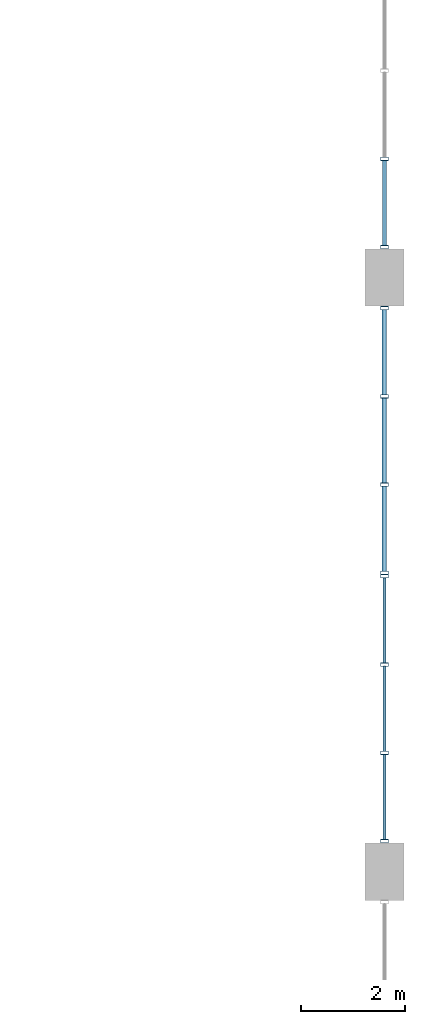
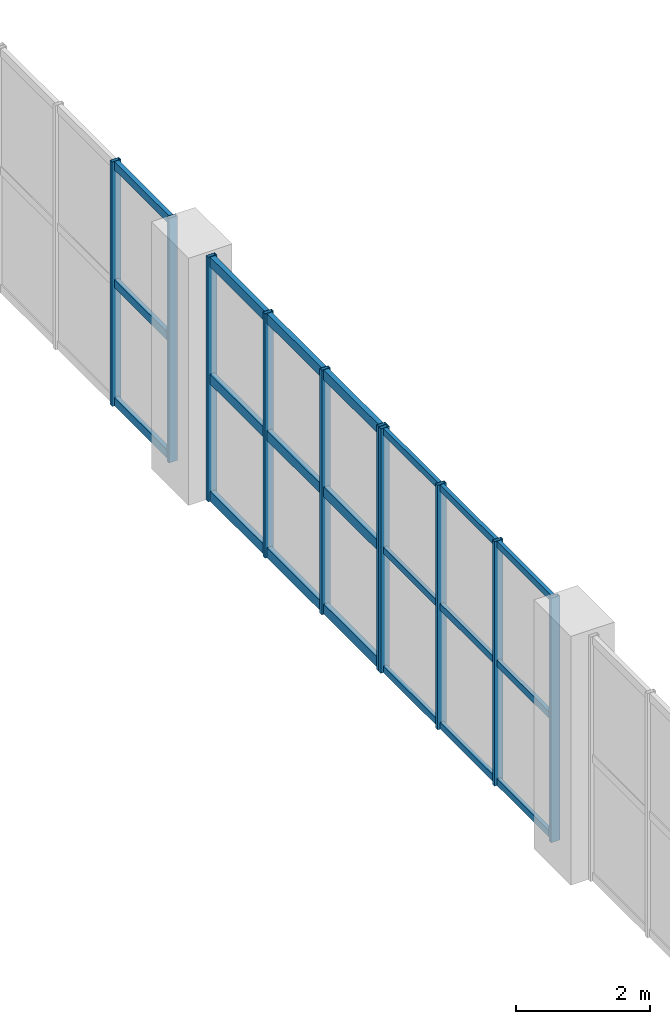
# One storey, part 48 of 80: 31 members, 3 elements without a shape of their own.
"""IFC4 building model written with IfcOpenShell, lengths in metres."""

from ifc_helpers import new_model, si_unit, direction, frame, origin, origin_2d, place, context, subcontext, project, spatial, hollow_rectangle, extrude, material, layer, layer_set, material_profile, profile_set, type_object, element, aggregate, save


model = new_model("IFC4")

# Units and contexts
model_context = context("Model", 3, precision=1e-05, world=origin(), true_north=direction((0.0, 1.0)))
body_context = subcontext(model_context, "Body", "Model", "MODEL_VIEW")
ifc_project = project(units=[si_unit("LENGTHUNIT", "METRE"), si_unit("AREAUNIT", "SQUARE_METRE"), si_unit("VOLUMEUNIT", "CUBIC_METRE"), si_unit("PLANEANGLEUNIT", "RADIAN"), si_unit("MASSUNIT", "GRAM", prefix="KILO"), si_unit("POWERUNIT", "WATT"), si_unit("THERMODYNAMICTEMPERATUREUNIT", "KELVIN")], contexts=[model_context])

# Site, building, storey
site_placement = place(None, origin())
site = spatial("IfcSite", under=ifc_project, at=site_placement, CompositionType="ELEMENT")
building_placement = place(site_placement, origin())
building = spatial("IfcBuilding", under=site, at=building_placement, Name="Kelmbourne Parkland Aquatics Centre", CompositionType="ELEMENT")
storey_placement = place(building_placement, frame((0.0, 0.0, 10.199951171875)))
storey = spatial("IfcBuildingStorey", under=building, at=storey_placement, Name="L02", CompositionType="ELEMENT", Elevation=10.199951171875)

# Curtain wall, members
ifc_material = material(Name="Thermally broken anodised aluminium framing", Category="aluminium")
ifc_layer_1 = layer(ifc_material, 0.179931640625)
ifc_layer_set_1 = layer_set([ifc_layer_1], Name="Thermally broken anodised aluminium framing")
curtain_wall_type_1 = type_object("IfcCurtainWallType", Name="CW-12", PredefinedType="NOTDEFINED", material=ifc_layer_set_1)
curtain_wall_1_placement = place(storey_placement, origin())
curtain_wall_1 = element("IfcCurtainWall", 1, at=curtain_wall_1_placement, inside=storey, type_object=curtain_wall_type_1, Name="Wave-hall clerestory curtain wall CW-L02-060", PredefinedType="NOTDEFINED")
ifc_material_profile_1 = material_profile(ifc_material, hollow_rectangle(XDim=0.06494140625, YDim=0.14990234375, WallThickness=0.00390625, at=origin_2d()), Name="CW-M 65x150")
ifc_profile_set_1 = profile_set([ifc_material_profile_1], Name="Thermally broken anodised aluminium framing")
member_type_1 = type_object("IfcMemberType", Name="MB-MUL-1", PredefinedType="MULLION", material=ifc_profile_set_1)
member_1_placement = place(storey_placement, frame((175.199951171875, 69.784423828125, 0.0), z_axis=(0.0, 0.0, 1.0), x_axis=(0.0, 1.0, 0.0)))
member_1 = element("IfcMember", 2, at=member_1_placement, type_object=member_type_1, Name="CW-L02-060 mullion 0", PredefinedType="MULLION", context=body_context, shape_type="SweptSolid", body=[
    extrude(hollow_rectangle(XDim=0.06494140625, YDim=0.14990234375, WallThickness=0.00390625, at=origin_2d()), origin(), (0.0, 0.0, 1.0), 4.449951171875),
])
member_2_placement = place(storey_placement, frame((175.199951171875, 71.478759765625, 0.0), z_axis=(0.0, 0.0, 1.0), x_axis=(0.0, 1.0, 0.0)))
member_2 = element("IfcMember", 3, at=member_2_placement, type_object=member_type_1, Name="CW-L02-060 mullion 1", PredefinedType="MULLION", context=body_context, shape_type="SweptSolid", body=[
    extrude(hollow_rectangle(XDim=0.06494140625, YDim=0.14990234375, WallThickness=0.00390625, at=origin_2d()), origin(), (0.0, 0.0, 1.0), 4.449951171875),
])
member_3_placement = place(storey_placement, frame((175.199951171875, 73.173095703125, 0.0), z_axis=(0.0, 0.0, 1.0), x_axis=(0.0, 1.0, 0.0)))
member_3 = element("IfcMember", 4, at=member_3_placement, type_object=member_type_1, Name="CW-L02-060 mullion 2", PredefinedType="MULLION", context=body_context, shape_type="SweptSolid", body=[
    extrude(hollow_rectangle(XDim=0.06494140625, YDim=0.14990234375, WallThickness=0.00390625, at=origin_2d()), origin(), (0.0, 0.0, 1.0), 4.449951171875),
])
member_4_placement = place(storey_placement, frame((175.199951171875, 74.867431640625, 0.0), z_axis=(0.0, 0.0, 1.0), x_axis=(0.0, 1.0, 0.0)))
member_4 = element("IfcMember", 5, at=member_4_placement, type_object=member_type_1, Name="CW-L02-060 mullion 3", PredefinedType="MULLION", context=body_context, shape_type="SweptSolid", body=[
    extrude(hollow_rectangle(XDim=0.06494140625, YDim=0.14990234375, WallThickness=0.00390625, at=origin_2d()), origin(), (0.0, 0.0, 1.0), 4.449951171875),
])

ifc_layer_2 = layer(ifc_material, 0.179931640625)
ifc_layer_set_2 = layer_set([ifc_layer_2], Name="Thermally broken anodised aluminium framing")
curtain_wall_type_2 = type_object("IfcCurtainWallType", Name="CW-17", PredefinedType="NOTDEFINED", material=ifc_layer_set_2)
curtain_wall_2_placement = place(storey_placement, origin())
curtain_wall_2 = element("IfcCurtainWall", 6, at=curtain_wall_2_placement, inside=storey, type_object=curtain_wall_type_2, Name="Wave-hall clerestory curtain wall CW-L02-065", PredefinedType="NOTDEFINED")
member_5_placement = place(storey_placement, frame((175.199951171875, 74.9326171875, 0.0), z_axis=(0.0, 0.0, 1.0), x_axis=(0.0, 1.0, 0.0)))
member_5 = element("IfcMember", 7, at=member_5_placement, type_object=member_type_1, Name="CW-L02-065 mullion 0", PredefinedType="MULLION", context=body_context, shape_type="SweptSolid", body=[
    extrude(hollow_rectangle(XDim=0.06494140625, YDim=0.14990234375, WallThickness=0.00390625, at=origin_2d()), origin(), (0.0, 0.0, 1.0), 4.449951171875),
])
member_6_placement = place(storey_placement, frame((175.199951171875, 76.626708984375, 0.0), z_axis=(0.0, 0.0, 1.0), x_axis=(0.0, 1.0, 0.0)))
member_6 = element("IfcMember", 8, at=member_6_placement, type_object=member_type_1, Name="CW-L02-065 mullion 1", PredefinedType="MULLION", context=body_context, shape_type="SweptSolid", body=[
    extrude(hollow_rectangle(XDim=0.06494140625, YDim=0.14990234375, WallThickness=0.00390625, at=origin_2d()), origin(), (0.0, 0.0, 1.0), 4.449951171875),
])
member_7_placement = place(storey_placement, frame((175.199951171875, 78.3212890625, 0.0), z_axis=(0.0, 0.0, 1.0), x_axis=(0.0, 1.0, 0.0)))
member_7 = element("IfcMember", 9, at=member_7_placement, type_object=member_type_1, Name="CW-L02-065 mullion 2", PredefinedType="MULLION", context=body_context, shape_type="SweptSolid", body=[
    extrude(hollow_rectangle(XDim=0.06494140625, YDim=0.14990234375, WallThickness=0.00390625, at=origin_2d()), origin(), (0.0, 0.0, 1.0), 4.449951171875),
])
member_8_placement = place(storey_placement, frame((175.199951171875, 80.015380859375, 0.0), z_axis=(0.0, 0.0, 1.0), x_axis=(0.0, 1.0, 0.0)))
member_8 = element("IfcMember", 10, at=member_8_placement, type_object=member_type_1, Name="CW-L02-065 mullion 3", PredefinedType="MULLION", context=body_context, shape_type="SweptSolid", body=[
    extrude(hollow_rectangle(XDim=0.06494140625, YDim=0.14990234375, WallThickness=0.00390625, at=origin_2d()), origin(), (0.0, 0.0, 1.0), 4.449951171875),
])

ifc_layer_3 = layer(ifc_material, 0.179931640625)
ifc_layer_set_3 = layer_set([ifc_layer_3], Name="Thermally broken anodised aluminium framing")
curtain_wall_type_3 = type_object("IfcCurtainWallType", Name="CW-22", PredefinedType="NOTDEFINED", material=ifc_layer_set_3)
curtain_wall_3_placement = place(storey_placement, origin())
curtain_wall_3 = element("IfcCurtainWall", 11, at=curtain_wall_3_placement, inside=storey, type_object=curtain_wall_type_3, Name="Wave-hall clerestory curtain wall CW-L02-070", PredefinedType="NOTDEFINED")
member_9_placement = place(storey_placement, frame((175.199951171875, 81.1845703125, 0.0), z_axis=(0.0, 0.0, 1.0), x_axis=(0.0, 1.0, 0.0)))
member_9 = element("IfcMember", 12, at=member_9_placement, type_object=member_type_1, Name="CW-L02-070 mullion 0", PredefinedType="MULLION", context=body_context, shape_type="SweptSolid", body=[
    extrude(hollow_rectangle(XDim=0.06494140625, YDim=0.14990234375, WallThickness=0.00390625, at=origin_2d()), origin(), (0.0, 0.0, 1.0), 4.449951171875),
])
member_10_placement = place(storey_placement, frame((175.199951171875, 82.87890625, 0.0), z_axis=(0.0, 0.0, 1.0), x_axis=(0.0, 1.0, 0.0)))
member_10 = element("IfcMember", 13, at=member_10_placement, type_object=member_type_1, Name="CW-L02-070 mullion 1", PredefinedType="MULLION", context=body_context, shape_type="SweptSolid", body=[
    extrude(hollow_rectangle(XDim=0.06494140625, YDim=0.14990234375, WallThickness=0.00390625, at=origin_2d()), origin(), (0.0, 0.0, 1.0), 4.449951171875),
])

# Member
ifc_material_profile_2 = material_profile(ifc_material, hollow_rectangle(XDim=0.06494140625, YDim=0.1201171875, WallThickness=0.00341796875, at=origin_2d()), Name="CW-T 65x120")
ifc_profile_set_2 = profile_set([ifc_material_profile_2], Name="Thermally broken anodised aluminium framing")
member_type_2 = type_object("IfcMemberType", Name="MB-TRN-1", PredefinedType="USERDEFINED", material=ifc_profile_set_2)
member_11_placement = place(storey_placement, frame((175.199951171875, 69.81298828125, 0.06298828125), z_axis=(0.0, 1.0, 0.0), x_axis=(-1.0, 0.0, 0.0)))
member_11 = element("IfcMember", 14, at=member_11_placement, type_object=member_type_2, Name="CW-L02-060 transom 0-0", ObjectType="TRANSOM", PredefinedType="USERDEFINED", context=body_context, shape_type="SweptSolid", body=[
    extrude(hollow_rectangle(XDim=0.06494140625, YDim=0.1201171875, WallThickness=0.00341796875, at=origin_2d()), origin(), (0.0, 0.0, 1.0), 1.63720703125),
])

member_12_placement = place(storey_placement, frame((175.199951171875, 71.50732421875, 0.06298828125), z_axis=(0.0, 1.0, 0.0), x_axis=(-1.0, 0.0, 0.0)))
member_12 = element("IfcMember", 15, at=member_12_placement, type_object=member_type_2, Name="CW-L02-060 transom 0-1", ObjectType="TRANSOM", PredefinedType="USERDEFINED", context=body_context, shape_type="SweptSolid", body=[
    extrude(hollow_rectangle(XDim=0.06494140625, YDim=0.1201171875, WallThickness=0.00341796875, at=origin_2d()), origin(), (0.0, 0.0, 1.0), 1.637451171875),
])

member_13_placement = place(storey_placement, frame((175.199951171875, 73.20166015625, 0.06298828125), z_axis=(0.0, 1.0, 0.0), x_axis=(-1.0, 0.0, 0.0)))
member_13 = element("IfcMember", 16, at=member_13_placement, type_object=member_type_2, Name="CW-L02-060 transom 0-2", ObjectType="TRANSOM", PredefinedType="USERDEFINED", context=body_context, shape_type="SweptSolid", body=[
    extrude(hollow_rectangle(XDim=0.06494140625, YDim=0.1201171875, WallThickness=0.00341796875, at=origin_2d()), origin(), (0.0, 0.0, 1.0), 1.637451171875),
])

member_14_placement = place(storey_placement, frame((175.199951171875, 69.81298828125, 2.22509765625), z_axis=(0.0, 1.0, 0.0), x_axis=(-1.0, 0.0, 0.0)))
member_14 = element("IfcMember", 17, at=member_14_placement, type_object=member_type_2, Name="CW-L02-060 transom 1-0", ObjectType="TRANSOM", PredefinedType="USERDEFINED", context=body_context, shape_type="SweptSolid", body=[
    extrude(hollow_rectangle(XDim=0.06494140625, YDim=0.1201171875, WallThickness=0.00341796875, at=origin_2d()), origin(), (0.0, 0.0, 1.0), 1.63720703125),
])

member_15_placement = place(storey_placement, frame((175.199951171875, 71.50732421875, 2.22509765625), z_axis=(0.0, 1.0, 0.0), x_axis=(-1.0, 0.0, 0.0)))
member_15 = element("IfcMember", 18, at=member_15_placement, type_object=member_type_2, Name="CW-L02-060 transom 1-1", ObjectType="TRANSOM", PredefinedType="USERDEFINED", context=body_context, shape_type="SweptSolid", body=[
    extrude(hollow_rectangle(XDim=0.06494140625, YDim=0.1201171875, WallThickness=0.00341796875, at=origin_2d()), origin(), (0.0, 0.0, 1.0), 1.637451171875),
])

member_16_placement = place(storey_placement, frame((175.199951171875, 73.20166015625, 2.22509765625), z_axis=(0.0, 1.0, 0.0), x_axis=(-1.0, 0.0, 0.0)))
member_16 = element("IfcMember", 19, at=member_16_placement, type_object=member_type_2, Name="CW-L02-060 transom 1-2", ObjectType="TRANSOM", PredefinedType="USERDEFINED", context=body_context, shape_type="SweptSolid", body=[
    extrude(hollow_rectangle(XDim=0.06494140625, YDim=0.1201171875, WallThickness=0.00341796875, at=origin_2d()), origin(), (0.0, 0.0, 1.0), 1.637451171875),
])

member_17_placement = place(storey_placement, frame((175.199951171875, 69.81298828125, 4.386962890625), z_axis=(0.0, 1.0, 0.0), x_axis=(-1.0, 0.0, 0.0)))
member_17 = element("IfcMember", 20, at=member_17_placement, type_object=member_type_2, Name="CW-L02-060 transom 2-0", ObjectType="TRANSOM", PredefinedType="USERDEFINED", context=body_context, shape_type="SweptSolid", body=[
    extrude(hollow_rectangle(XDim=0.06494140625, YDim=0.1201171875, WallThickness=0.00341796875, at=origin_2d()), origin(), (0.0, 0.0, 1.0), 1.63720703125),
])

member_18_placement = place(storey_placement, frame((175.199951171875, 71.50732421875, 4.386962890625), z_axis=(0.0, 1.0, 0.0), x_axis=(-1.0, 0.0, 0.0)))
member_18 = element("IfcMember", 21, at=member_18_placement, type_object=member_type_2, Name="CW-L02-060 transom 2-1", ObjectType="TRANSOM", PredefinedType="USERDEFINED", context=body_context, shape_type="SweptSolid", body=[
    extrude(hollow_rectangle(XDim=0.06494140625, YDim=0.1201171875, WallThickness=0.00341796875, at=origin_2d()), origin(), (0.0, 0.0, 1.0), 1.637451171875),
])

member_19_placement = place(storey_placement, frame((175.199951171875, 73.20166015625, 4.386962890625), z_axis=(0.0, 1.0, 0.0), x_axis=(-1.0, 0.0, 0.0)))
member_19 = element("IfcMember", 22, at=member_19_placement, type_object=member_type_2, Name="CW-L02-060 transom 2-2", ObjectType="TRANSOM", PredefinedType="USERDEFINED", context=body_context, shape_type="SweptSolid", body=[
    extrude(hollow_rectangle(XDim=0.06494140625, YDim=0.1201171875, WallThickness=0.00341796875, at=origin_2d()), origin(), (0.0, 0.0, 1.0), 1.637451171875),
])

aggregate(curtain_wall_1, [member_1, member_2, member_3, member_4, member_11, member_12, member_13, member_14, member_15, member_16, member_17, member_18, member_19])

ifc_material_profile_3 = material_profile(ifc_material, hollow_rectangle(XDim=0.074951171875, YDim=0.14990234375, WallThickness=0.00390625, at=origin_2d()), Name="CW-T 75x150")
ifc_profile_set_3 = profile_set([ifc_material_profile_3], Name="Thermally broken anodised aluminium framing")
member_type_3 = type_object("IfcMemberType", Name="MB-TRN-2", PredefinedType="USERDEFINED", material=ifc_profile_set_3)
member_20_placement = place(storey_placement, frame((175.199951171875, 81.212890625, 0.078125), z_axis=(0.0, 1.0, 0.0), x_axis=(-1.0, 0.0, 0.0)))
member_20 = element("IfcMember", 23, at=member_20_placement, type_object=member_type_3, Name="CW-L02-070 transom 0-0", ObjectType="TRANSOM", PredefinedType="USERDEFINED", context=body_context, shape_type="SweptSolid", body=[
    extrude(hollow_rectangle(XDim=0.074951171875, YDim=0.14990234375, WallThickness=0.00390625, at=origin_2d()), origin(), (0.0, 0.0, 1.0), 1.637451171875),
])

member_21_placement = place(storey_placement, frame((175.199951171875, 81.212890625, 2.22509765625), z_axis=(0.0, 1.0, 0.0), x_axis=(-1.0, 0.0, 0.0)))
member_21 = element("IfcMember", 24, at=member_21_placement, type_object=member_type_3, Name="CW-L02-070 transom 1-0", ObjectType="TRANSOM", PredefinedType="USERDEFINED", context=body_context, shape_type="SweptSolid", body=[
    extrude(hollow_rectangle(XDim=0.074951171875, YDim=0.14990234375, WallThickness=0.00390625, at=origin_2d()), origin(), (0.0, 0.0, 1.0), 1.637451171875),
])

member_22_placement = place(storey_placement, frame((175.199951171875, 81.212890625, 4.3720703125), z_axis=(0.0, 1.0, 0.0), x_axis=(-1.0, 0.0, 0.0)))
member_22 = element("IfcMember", 25, at=member_22_placement, type_object=member_type_3, Name="CW-L02-070 transom 2-0", ObjectType="TRANSOM", PredefinedType="USERDEFINED", context=body_context, shape_type="SweptSolid", body=[
    extrude(hollow_rectangle(XDim=0.074951171875, YDim=0.14990234375, WallThickness=0.00390625, at=origin_2d()), origin(), (0.0, 0.0, 1.0), 1.637451171875),
])

aggregate(curtain_wall_3, [member_9, member_10, member_20, member_21, member_22])

ifc_material_profile_4 = material_profile(ifc_material, hollow_rectangle(XDim=0.0849609375, YDim=0.179931640625, WallThickness=0.00439453125, at=origin_2d()), Name="CW-T 85x180")
ifc_profile_set_4 = profile_set([ifc_material_profile_4], Name="Thermally broken anodised aluminium framing")
member_type_4 = type_object("IfcMemberType", Name="MB-TRN-3", PredefinedType="USERDEFINED", material=ifc_profile_set_4)
member_23_placement = place(storey_placement, frame((175.199951171875, 74.9609375, 0.093017578125), z_axis=(0.0, 1.0, 0.0), x_axis=(-1.0, 0.0, 0.0)))
member_23 = element("IfcMember", 26, at=member_23_placement, type_object=member_type_4, Name="CW-L02-065 transom 0-0", ObjectType="TRANSOM", PredefinedType="USERDEFINED", context=body_context, shape_type="SweptSolid", body=[
    extrude(hollow_rectangle(XDim=0.0849609375, YDim=0.179931640625, WallThickness=0.00439453125, at=origin_2d()), origin(), (0.0, 0.0, 1.0), 1.637451171875),
])

member_24_placement = place(storey_placement, frame((175.199951171875, 76.6552734375, 0.093017578125), z_axis=(0.0, 1.0, 0.0), x_axis=(-1.0, 0.0, 0.0)))
member_24 = element("IfcMember", 27, at=member_24_placement, type_object=member_type_4, Name="CW-L02-065 transom 0-1", ObjectType="TRANSOM", PredefinedType="USERDEFINED", context=body_context, shape_type="SweptSolid", body=[
    extrude(hollow_rectangle(XDim=0.0849609375, YDim=0.179931640625, WallThickness=0.00439453125, at=origin_2d()), origin(), (0.0, 0.0, 1.0), 1.637451171875),
])

member_25_placement = place(storey_placement, frame((175.199951171875, 78.349609375, 0.093017578125), z_axis=(0.0, 1.0, 0.0), x_axis=(-1.0, 0.0, 0.0)))
member_25 = element("IfcMember", 28, at=member_25_placement, type_object=member_type_4, Name="CW-L02-065 transom 0-2", ObjectType="TRANSOM", PredefinedType="USERDEFINED", context=body_context, shape_type="SweptSolid", body=[
    extrude(hollow_rectangle(XDim=0.0849609375, YDim=0.179931640625, WallThickness=0.00439453125, at=origin_2d()), origin(), (0.0, 0.0, 1.0), 1.637451171875),
])

member_26_placement = place(storey_placement, frame((175.199951171875, 74.9609375, 2.22509765625), z_axis=(0.0, 1.0, 0.0), x_axis=(-1.0, 0.0, 0.0)))
member_26 = element("IfcMember", 29, at=member_26_placement, type_object=member_type_4, Name="CW-L02-065 transom 1-0", ObjectType="TRANSOM", PredefinedType="USERDEFINED", context=body_context, shape_type="SweptSolid", body=[
    extrude(hollow_rectangle(XDim=0.0849609375, YDim=0.179931640625, WallThickness=0.00439453125, at=origin_2d()), origin(), (0.0, 0.0, 1.0), 1.637451171875),
])

member_27_placement = place(storey_placement, frame((175.199951171875, 76.6552734375, 2.22509765625), z_axis=(0.0, 1.0, 0.0), x_axis=(-1.0, 0.0, 0.0)))
member_27 = element("IfcMember", 30, at=member_27_placement, type_object=member_type_4, Name="CW-L02-065 transom 1-1", ObjectType="TRANSOM", PredefinedType="USERDEFINED", context=body_context, shape_type="SweptSolid", body=[
    extrude(hollow_rectangle(XDim=0.0849609375, YDim=0.179931640625, WallThickness=0.00439453125, at=origin_2d()), origin(), (0.0, 0.0, 1.0), 1.637451171875),
])

member_28_placement = place(storey_placement, frame((175.199951171875, 78.349609375, 2.22509765625), z_axis=(0.0, 1.0, 0.0), x_axis=(-1.0, 0.0, 0.0)))
member_28 = element("IfcMember", 31, at=member_28_placement, type_object=member_type_4, Name="CW-L02-065 transom 1-2", ObjectType="TRANSOM", PredefinedType="USERDEFINED", context=body_context, shape_type="SweptSolid", body=[
    extrude(hollow_rectangle(XDim=0.0849609375, YDim=0.179931640625, WallThickness=0.00439453125, at=origin_2d()), origin(), (0.0, 0.0, 1.0), 1.637451171875),
])

member_29_placement = place(storey_placement, frame((175.199951171875, 74.9609375, 4.35693359375), z_axis=(0.0, 1.0, 0.0), x_axis=(-1.0, 0.0, 0.0)))
member_29 = element("IfcMember", 32, at=member_29_placement, type_object=member_type_4, Name="CW-L02-065 transom 2-0", ObjectType="TRANSOM", PredefinedType="USERDEFINED", context=body_context, shape_type="SweptSolid", body=[
    extrude(hollow_rectangle(XDim=0.0849609375, YDim=0.179931640625, WallThickness=0.00439453125, at=origin_2d()), origin(), (0.0, 0.0, 1.0), 1.637451171875),
])

member_30_placement = place(storey_placement, frame((175.199951171875, 76.6552734375, 4.35693359375), z_axis=(0.0, 1.0, 0.0), x_axis=(-1.0, 0.0, 0.0)))
member_30 = element("IfcMember", 33, at=member_30_placement, type_object=member_type_4, Name="CW-L02-065 transom 2-1", ObjectType="TRANSOM", PredefinedType="USERDEFINED", context=body_context, shape_type="SweptSolid", body=[
    extrude(hollow_rectangle(XDim=0.0849609375, YDim=0.179931640625, WallThickness=0.00439453125, at=origin_2d()), origin(), (0.0, 0.0, 1.0), 1.637451171875),
])

member_31_placement = place(storey_placement, frame((175.199951171875, 78.349609375, 4.35693359375), z_axis=(0.0, 1.0, 0.0), x_axis=(-1.0, 0.0, 0.0)))
member_31 = element("IfcMember", 34, at=member_31_placement, type_object=member_type_4, Name="CW-L02-065 transom 2-2", ObjectType="TRANSOM", PredefinedType="USERDEFINED", context=body_context, shape_type="SweptSolid", body=[
    extrude(hollow_rectangle(XDim=0.0849609375, YDim=0.179931640625, WallThickness=0.00439453125, at=origin_2d()), origin(), (0.0, 0.0, 1.0), 1.637451171875),
])

aggregate(curtain_wall_2, [member_5, member_6, member_7, member_8, member_23, member_24, member_25, member_26, member_27, member_28, member_29, member_30, member_31])

save(model, "model.ifc")
